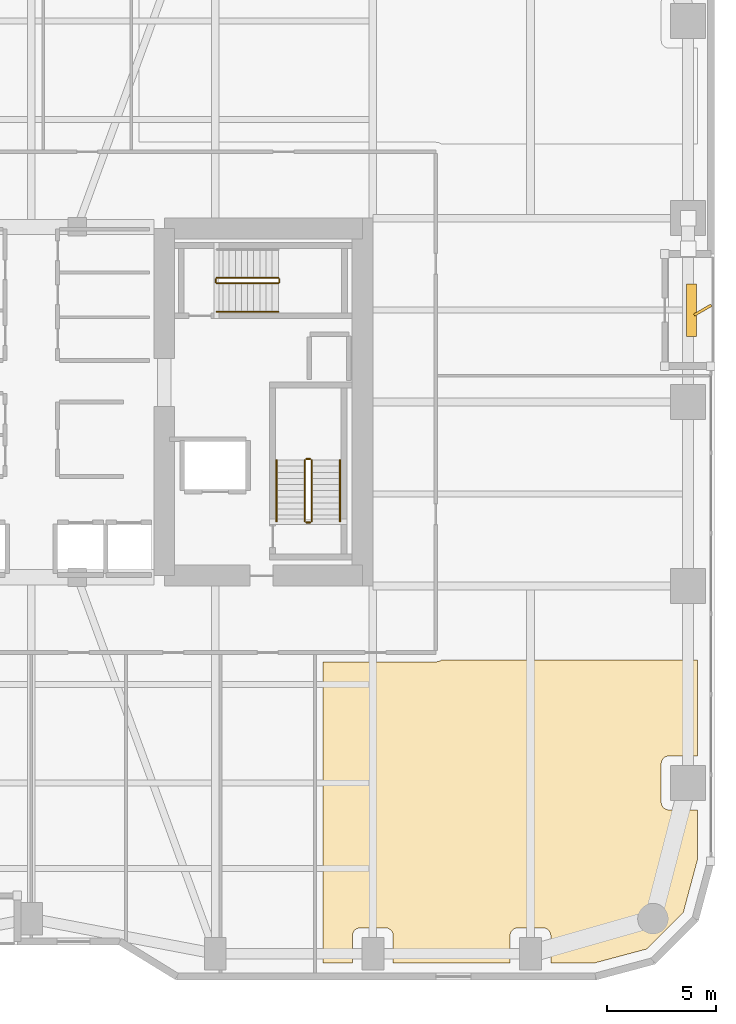
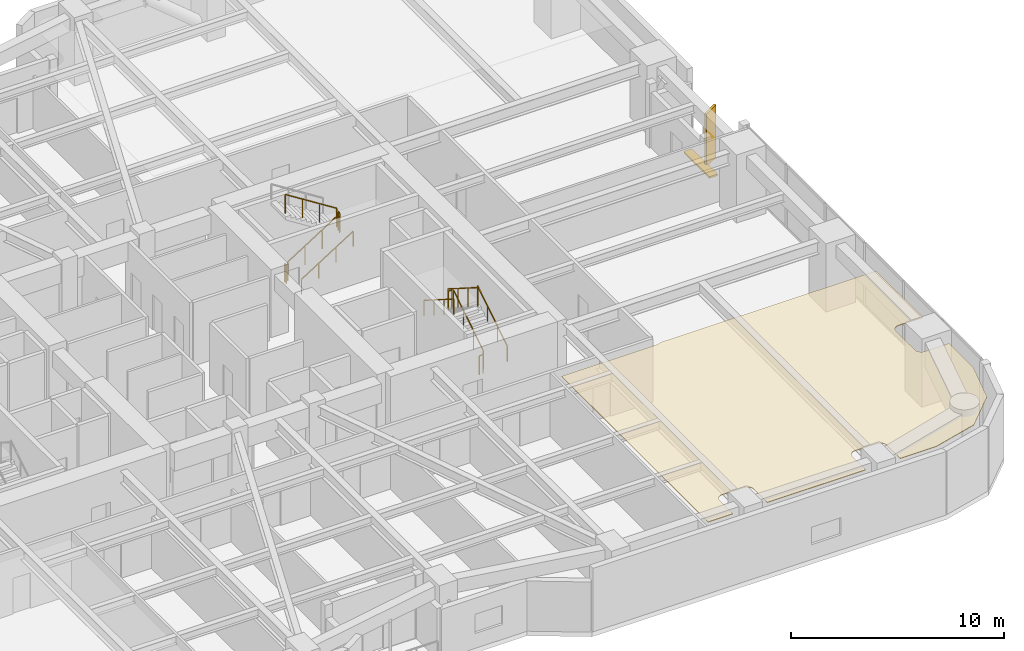
# One storey, part 27 of 28: 11 railings, 2 shading devices, 1 covering.
"""IFC4 building model written with IfcOpenShell, lengths in metres."""

from ifc_helpers import new_model, si_unit, direction, frame, origin, origin_2d, place, context, subcontext, project, spatial, polyline, rectangle, outline, extrude, material, layer, layer_set, type_object, element, save


model = new_model("IFC4")

# Units and contexts
model_context = context("Model", 3, precision=1e-05, world=origin(), true_north=direction((0.0, 1.0)))
body_context = subcontext(model_context, "Body", "Model", "MODEL_VIEW")
ifc_project = project(units=[si_unit("LENGTHUNIT", "METRE"), si_unit("AREAUNIT", "SQUARE_METRE"), si_unit("VOLUMEUNIT", "CUBIC_METRE"), si_unit("PLANEANGLEUNIT", "RADIAN"), si_unit("MASSUNIT", "GRAM", prefix="KILO")], contexts=[model_context])

# Site, building, storey
site_placement = place(None, origin())
site = spatial("IfcSite", under=ifc_project, at=site_placement, CompositionType="ELEMENT")
building_placement = place(site_placement, origin())
building = spatial("IfcBuilding", under=site, at=building_placement, Name="Kiyonajd Concourse Tower", CompositionType="ELEMENT")
storey_placement = place(building_placement, frame((0.0, 0.0, 64.5)))
storey = spatial("IfcBuildingStorey", under=building, at=storey_placement, Name="L17", CompositionType="ELEMENT", Elevation=64.5)

# Covering
ifc_material_1 = material(Name="Natural Oak Acoustic Timber Veneer", Category="wood")
ifc_layer = layer(ifc_material_1, 0.0400390625)
ifc_layer_set = layer_set([ifc_layer], Name="Natural Oak Acoustic Timber Veneer")
covering_type = type_object("IfcCoveringType", Name="CV-CLG-ACST", PredefinedType="CEILING", material=ifc_layer_set)
covering_placement = place(storey_placement, frame((0.0, 0.0, 3.4599609375)))
element("IfcCovering", 1, at=covering_placement, inside=storey, type_object=covering_type, Name="L17-47 Room Acoustic Ceiling", PredefinedType="CEILING", context=body_context, shape_type="SweptSolid", body=[
    extrude(outline(polyline([(66.722900390625, 24.2099609375), (78.429931640625, 24.2099609375), (78.429931640625, 19.830078125), (77.1201171875, 19.830078125), (77.052001953125, 19.822998046875), (76.986083984375, 19.802978515625), (76.926025390625, 19.77099609375), (76.84912109375, 19.701904296875), (76.81103515625, 19.64501953125), (76.784912109375, 19.58203125), (76.77001953125, 19.47998046875), (76.77001953125, 17.719970703125), (76.784912109375, 17.617919921875), (76.81103515625, 17.554931640625), (76.84912109375, 17.498046875), (76.89794921875, 17.448974609375), (76.955078125, 17.410888671875), (77.01806640625, 17.385009765625), (77.0859375, 17.3720703125), (78.429931640625, 17.3701171875), (78.429931640625, 15.10107421875), (77.785888671875, 12.697998046875), (76.10205078125, 11.013916015625), (73.698974609375, 10.3701171875), (71.72998046875, 10.3701171875), (71.72802734375, 11.6640625), (71.715087890625, 11.73193359375), (71.68896484375, 11.794921875), (71.626953125, 11.876953125), (71.544921875, 11.93896484375), (71.48193359375, 11.965087890625), (71.4140625, 11.97802734375), (70.18603515625, 11.97802734375), (70.117919921875, 11.965087890625), (70.054931640625, 11.93896484375), (69.972900390625, 11.876953125), (69.910888671875, 11.794921875), (69.876953125, 11.697998046875), (69.8701171875, 11.6298828125), (69.8701171875, 10.3701171875), (64.530029296875, 10.3701171875), (64.528076171875, 11.6640625), (64.514892578125, 11.73193359375), (64.489013671875, 11.794921875), (64.427001953125, 11.876953125), (64.344970703125, 11.93896484375), (64.281982421875, 11.965087890625), (64.214111328125, 11.97802734375), (63.02001953125, 11.97998046875), (62.91796875, 11.965087890625), (62.85498046875, 11.93896484375), (62.798095703125, 11.90087890625), (62.7490234375, 11.85205078125), (62.7109375, 11.794921875), (62.677001953125, 11.697998046875), (62.669921875, 11.6298828125), (62.669921875, 10.3701171875), (61.330078125, 10.3701171875), (61.330078125, 24.1298828125), (66.47509765625, 24.1298828125), (66.60498046875, 24.14990234375), (66.66796875, 24.176025390625), (66.722900390625, 24.2099609375)])), origin(), (0.0, 0.0, 1.0), 0.0400390625),
])

# Railings
ifc_material_2 = material(Name="Steel ASTM A500 Grade C", Category="steel")
railing_type_1 = type_object("IfcRailingType", Name="RL-GRD-STR", PredefinedType="GUARDRAIL", material=ifc_material_2)
railing_1_placement = place(storey_placement, frame((60.800048828125, 30.550048828125, 0.17724609375)))
element("IfcRailing", 2, at=railing_1_placement, inside=storey, type_object=railing_type_1, Name="L17 ST2 stair guard 1", PredefinedType="GUARDRAIL", context=body_context, shape_type="SweptSolid", body=[
    extrude(rectangle(XDim=0.048095703125, YDim=0.048095703125, at=origin_2d()), frame((0.0, 0.0, 1.076171875), z_axis=(0.0, 0.844908973607, 0.534910110503), x_axis=(-1.0, 0.0, 0.0)), (0.0, 0.0, 1.0), 3.31396484375),
    extrude(rectangle(XDim=0.0419921875, YDim=0.0419921875, at=origin_2d()), origin(), (0.0, 0.0, 1.0), 1.052001953125),
    extrude(rectangle(XDim=0.0419921875, YDim=0.0419921875, at=origin_2d()), frame((0.0, 0.933349609375, 0.5908203125)), (0.0, 0.0, 1.0), 1.052001953125),
    extrude(rectangle(XDim=0.0419921875, YDim=0.0419921875, at=origin_2d()), frame((0.0, 1.86669921875, 1.181884765625)), (0.0, 0.0, 1.0), 1.052001953125),
    extrude(rectangle(XDim=0.0419921875, YDim=0.0419921875, at=origin_2d()), frame((0.0, 2.800048828125, 1.772705078125)), (0.0, 0.0, 1.0), 1.052001953125),
])
railing_2_placement = place(storey_placement, frame((60.75, 33.39990234375, 1.949951171875)))
element("IfcRailing", 3, at=railing_2_placement, inside=storey, type_object=railing_type_1, Name="L17 ST2 stair guard 2", PredefinedType="GUARDRAIL", context=body_context, shape_type="SweptSolid", body=[
    extrude(rectangle(XDim=0.048095703125, YDim=0.048095703125, at=origin_2d()), frame((0.0, 0.0, 1.076171875), z_axis=(-1.0, 0.0, 0.0), x_axis=(0.0, -1.0, 0.0)), (0.0, 0.0, 1.0), 0.199951171875),
    extrude(rectangle(XDim=0.0419921875, YDim=0.0419921875, at=origin_2d()), origin(), (0.0, 0.0, 1.0), 1.052001953125),
    extrude(rectangle(XDim=0.0419921875, YDim=0.0419921875, at=origin_2d()), frame((-0.199951171875, 0.0, 0.0)), (0.0, 0.0, 1.0), 1.052001953125),
])
railing_3_placement = place(storey_placement, frame((60.5, 33.35009765625, 2.127197265625)))
element("IfcRailing", 4, at=railing_3_placement, inside=storey, type_object=railing_type_1, Name="L17 ST2 stair guard 3", PredefinedType="GUARDRAIL", context=body_context, shape_type="SweptSolid", body=[
    extrude(rectangle(XDim=0.048095703125, YDim=0.048095703125, at=origin_2d()), frame((0.0, 0.0, 1.076171875), z_axis=(0.0, -0.844908973607, 0.534910110503), x_axis=(1.0, 0.0, 0.0)), (0.0, 0.0, 1.0), 3.31396484375),
    extrude(rectangle(XDim=0.0419921875, YDim=0.0419921875, at=origin_2d()), origin(), (0.0, 0.0, 1.0), 1.052001953125),
    extrude(rectangle(XDim=0.0419921875, YDim=0.0419921875, at=origin_2d()), frame((0.0, -0.933349609375, 0.5908203125)), (0.0, 0.0, 1.0), 1.052001953125),
    extrude(rectangle(XDim=0.0419921875, YDim=0.0419921875, at=origin_2d()), frame((0.0, -1.86669921875, 1.181884765625)), (0.0, 0.0, 1.0), 1.052001953125),
    extrude(rectangle(XDim=0.0419921875, YDim=0.0419921875, at=origin_2d()), frame((0.0, -2.800048828125, 1.772705078125)), (0.0, 0.0, 1.0), 1.052001953125),
])
railing_4_placement = place(storey_placement, frame((60.75, 30.5, 0.0)))
element("IfcRailing", 5, at=railing_4_placement, inside=storey, type_object=railing_type_1, Name="L17 ST2 stair guard 4", PredefinedType="GUARDRAIL", context=body_context, shape_type="SweptSolid", body=[
    extrude(rectangle(XDim=0.048095703125, YDim=0.048095703125, at=origin_2d()), frame((0.0, 0.0, 1.076171875), z_axis=(-1.0, 0.0, 0.0), x_axis=(0.0, -1.0, 0.0)), (0.0, 0.0, 1.0), 0.199951171875),
    extrude(rectangle(XDim=0.0419921875, YDim=0.0419921875, at=origin_2d()), origin(), (0.0, 0.0, 1.0), 1.052001953125),
    extrude(rectangle(XDim=0.0419921875, YDim=0.0419921875, at=origin_2d()), frame((-0.199951171875, 0.0, 0.0)), (0.0, 0.0, 1.0), 1.052001953125),
])
railing_5_placement = place(storey_placement, frame((56.47998046875, 41.429931640625, 0.17724609375)))
element("IfcRailing", 6, at=railing_5_placement, inside=storey, type_object=railing_type_1, Name="L17 ST3 stair guard 1", PredefinedType="GUARDRAIL", context=body_context, shape_type="SweptSolid", body=[
    extrude(rectangle(XDim=0.048095703125, YDim=0.048095703125, at=origin_2d()), frame((0.0, 0.0, 1.076171875), z_axis=(0.844908973607, 0.0, 0.534910110503), x_axis=(0.0, 1.0, 0.0)), (0.0, 0.0, 1.0), 3.31396484375),
    extrude(rectangle(XDim=0.0419921875, YDim=0.0419921875, at=origin_2d()), origin(), (0.0, 0.0, 1.0), 1.052001953125),
    extrude(rectangle(XDim=0.0419921875, YDim=0.0419921875, at=origin_2d()), frame((0.933349609375, 0.0, 0.5908203125)), (0.0, 0.0, 1.0), 1.052001953125),
    extrude(rectangle(XDim=0.0419921875, YDim=0.0419921875, at=origin_2d()), frame((1.86669921875, 0.0, 1.181884765625)), (0.0, 0.0, 1.0), 1.052001953125),
    extrude(rectangle(XDim=0.0419921875, YDim=0.0419921875, at=origin_2d()), frame((2.800048828125, 0.0, 1.772705078125)), (0.0, 0.0, 1.0), 1.052001953125),
])
railing_6_placement = place(storey_placement, frame((59.330078125, 41.47998046875, 1.949951171875)))
element("IfcRailing", 7, at=railing_6_placement, inside=storey, type_object=railing_type_1, Name="L17 ST3 stair guard 2", PredefinedType="GUARDRAIL", context=body_context, shape_type="SweptSolid", body=[
    extrude(rectangle(XDim=0.048095703125, YDim=0.048095703125, at=origin_2d()), frame((0.0, 0.0, 1.076171875), z_axis=(0.0, 1.0, 0.0), x_axis=(-1.0, 0.0, 0.0)), (0.0, 0.0, 1.0), 0.14013671875),
    extrude(rectangle(XDim=0.0419921875, YDim=0.0419921875, at=origin_2d()), origin(), (0.0, 0.0, 1.0), 1.052001953125),
    extrude(rectangle(XDim=0.0419921875, YDim=0.0419921875, at=origin_2d()), frame((0.0, 0.14013671875, 0.0)), (0.0, 0.0, 1.0), 1.052001953125),
])
railing_7_placement = place(storey_placement, frame((59.280029296875, 41.669921875, 2.127197265625)))
element("IfcRailing", 8, at=railing_7_placement, inside=storey, type_object=railing_type_1, Name="L17 ST3 stair guard 3", PredefinedType="GUARDRAIL", context=body_context, shape_type="SweptSolid", body=[
    extrude(rectangle(XDim=0.048095703125, YDim=0.048095703125, at=origin_2d()), frame((0.0, 0.0, 1.076171875), z_axis=(-0.844908973607, 0.0, 0.534910110503), x_axis=(0.0, -1.0, 0.0)), (0.0, 0.0, 1.0), 3.31396484375),
    extrude(rectangle(XDim=0.0419921875, YDim=0.0419921875, at=origin_2d()), origin(), (0.0, 0.0, 1.0), 1.052001953125),
    extrude(rectangle(XDim=0.0419921875, YDim=0.0419921875, at=origin_2d()), frame((-0.933349609375, 0.0, 0.5908203125)), (0.0, 0.0, 1.0), 1.052001953125),
    extrude(rectangle(XDim=0.0419921875, YDim=0.0419921875, at=origin_2d()), frame((-1.86669921875, 0.0, 1.181884765625)), (0.0, 0.0, 1.0), 1.052001953125),
    extrude(rectangle(XDim=0.0419921875, YDim=0.0419921875, at=origin_2d()), frame((-2.800048828125, 0.0, 1.772705078125)), (0.0, 0.0, 1.0), 1.052001953125),
])
railing_8_placement = place(storey_placement, frame((56.429931640625, 41.47998046875, 0.0)))
element("IfcRailing", 9, at=railing_8_placement, inside=storey, type_object=railing_type_1, Name="L17 ST3 stair guard 4", PredefinedType="GUARDRAIL", context=body_context, shape_type="SweptSolid", body=[
    extrude(rectangle(XDim=0.048095703125, YDim=0.048095703125, at=origin_2d()), frame((0.0, 0.0, 1.076171875), z_axis=(0.0, 1.0, 0.0), x_axis=(-1.0, 0.0, 0.0)), (0.0, 0.0, 1.0), 0.14013671875),
    extrude(rectangle(XDim=0.0419921875, YDim=0.0419921875, at=origin_2d()), origin(), (0.0, 0.0, 1.0), 1.052001953125),
    extrude(rectangle(XDim=0.0419921875, YDim=0.0419921875, at=origin_2d()), frame((0.0, 0.14013671875, 0.0)), (0.0, 0.0, 1.0), 1.052001953125),
])
ifc_material_3 = material(Name="Brushed Stainless Steel Cab Assembly", Category="steel")
railing_type_2 = type_object("IfcRailingType", Name="RL-HND-900", PredefinedType="HANDRAIL", material=ifc_material_3)
railing_9_placement = place(storey_placement, frame((62.10009765625, 30.550048828125, 0.17724609375)))
element("IfcRailing", 10, at=railing_9_placement, inside=storey, type_object=railing_type_2, Name="L17 ST2 stair handrail 1", PredefinedType="HANDRAIL", context=body_context, shape_type="SweptSolid", body=[
    extrude(rectangle(XDim=0.048095703125, YDim=0.048095703125, at=origin_2d()), frame((0.0, 0.0, 0.8759765625), z_axis=(0.0, 0.844908973607, 0.534910110503), x_axis=(-1.0, 0.0, 0.0)), (0.0, 0.0, 1.0), 3.31396484375),
    extrude(rectangle(XDim=0.0419921875, YDim=0.0419921875, at=origin_2d()), origin(), (0.0, 0.0, 1.0), 0.851806640625),
    extrude(rectangle(XDim=0.0419921875, YDim=0.0419921875, at=origin_2d()), frame((0.0, 0.933349609375, 0.5908203125)), (0.0, 0.0, 1.0), 0.851806640625),
    extrude(rectangle(XDim=0.0419921875, YDim=0.0419921875, at=origin_2d()), frame((0.0, 1.86669921875, 1.181884765625)), (0.0, 0.0, 1.0), 0.851806640625),
    extrude(rectangle(XDim=0.0419921875, YDim=0.0419921875, at=origin_2d()), frame((0.0, 2.800048828125, 1.772705078125)), (0.0, 0.0, 1.0), 0.851806640625),
])
railing_10_placement = place(storey_placement, frame((59.199951171875, 33.35009765625, 2.127197265625)))
element("IfcRailing", 11, at=railing_10_placement, inside=storey, type_object=railing_type_2, Name="L17 ST2 stair handrail 2", PredefinedType="HANDRAIL", context=body_context, shape_type="SweptSolid", body=[
    extrude(rectangle(XDim=0.048095703125, YDim=0.048095703125, at=origin_2d()), frame((0.0, 0.0, 0.8759765625), z_axis=(0.0, -0.844908973607, 0.534910110503), x_axis=(1.0, 0.0, 0.0)), (0.0, 0.0, 1.0), 3.31396484375),
    extrude(rectangle(XDim=0.0419921875, YDim=0.0419921875, at=origin_2d()), origin(), (0.0, 0.0, 1.0), 0.851806640625),
    extrude(rectangle(XDim=0.0419921875, YDim=0.0419921875, at=origin_2d()), frame((0.0, -0.933349609375, 0.5908203125)), (0.0, 0.0, 1.0), 0.851806640625),
    extrude(rectangle(XDim=0.0419921875, YDim=0.0419921875, at=origin_2d()), frame((0.0, -1.86669921875, 1.181884765625)), (0.0, 0.0, 1.0), 0.851806640625),
    extrude(rectangle(XDim=0.0419921875, YDim=0.0419921875, at=origin_2d()), frame((0.0, -2.800048828125, 1.772705078125)), (0.0, 0.0, 1.0), 0.851806640625),
])
railing_11_placement = place(storey_placement, frame((56.47998046875, 40.1298828125, 0.17724609375)))
element("IfcRailing", 12, at=railing_11_placement, inside=storey, type_object=railing_type_2, Name="L17 ST3 stair handrail 1", PredefinedType="HANDRAIL", context=body_context, shape_type="SweptSolid", body=[
    extrude(rectangle(XDim=0.048095703125, YDim=0.048095703125, at=origin_2d()), frame((0.0, 0.0, 0.8759765625), z_axis=(0.844908973607, 0.0, 0.534910110503), x_axis=(0.0, 1.0, 0.0)), (0.0, 0.0, 1.0), 3.31396484375),
    extrude(rectangle(XDim=0.0419921875, YDim=0.0419921875, at=origin_2d()), origin(), (0.0, 0.0, 1.0), 0.851806640625),
    extrude(rectangle(XDim=0.0419921875, YDim=0.0419921875, at=origin_2d()), frame((0.933349609375, 0.0, 0.5908203125)), (0.0, 0.0, 1.0), 0.851806640625),
    extrude(rectangle(XDim=0.0419921875, YDim=0.0419921875, at=origin_2d()), frame((1.86669921875, 0.0, 1.181884765625)), (0.0, 0.0, 1.0), 0.851806640625),
    extrude(rectangle(XDim=0.0419921875, YDim=0.0419921875, at=origin_2d()), frame((2.800048828125, 0.0, 1.772705078125)), (0.0, 0.0, 1.0), 0.851806640625),
])

# Shading devices
ifc_material_4 = material(Name="Precast concrete C50/60", Category="concrete")
shading_device_type_1 = type_object("IfcShadingDeviceType", Name="SH-FIN-900", PredefinedType="USERDEFINED", material=ifc_material_4)
shading_device_1_placement = place(storey_placement, frame((78.669921875, 40.199951171875, 0.0), z_axis=(0.0, 0.0, 1.0), x_axis=(0.866025403784, 0.5, 0.0)))
element("IfcShadingDevice", 13, at=shading_device_1_placement, inside=storey, type_object=shading_device_type_1, Name="L17 Angled Koshi Solar Fin LOG-E", ObjectType="FIN", PredefinedType="USERDEFINED", context=body_context, shape_type="SweptSolid", body=[
    extrude(rectangle(XDim=0.89990234375, YDim=0.1201171875, at=origin_2d()), origin(), (0.0, 0.0, 1.0), 3.0),
])
ifc_material_5 = material(Name="Thermally Broken Anodised Aluminium", Category="aluminium")
shading_device_type_2 = type_object("IfcShadingDeviceType", Name="SH-LVR-600", PredefinedType="JALOUSIE", material=ifc_material_5)
shading_device_2_placement = place(storey_placement, frame((78.14990234375, 40.199951171875, 0.0), z_axis=(0.0, 0.0, 1.0), x_axis=(0.0, 1.0, 0.0)))
element("IfcShadingDevice", 14, at=shading_device_2_placement, inside=storey, type_object=shading_device_type_2, Name="L17 Loggia Threshold Louver LOG-E", PredefinedType="JALOUSIE", context=body_context, shape_type="SweptSolid", body=[
    extrude(rectangle(XDim=2.39990234375, YDim=0.449951171875, at=origin_2d()), origin(), (0.0, 0.0, 1.0), 0.10009765625),
])

save(model, "model.ifc")
